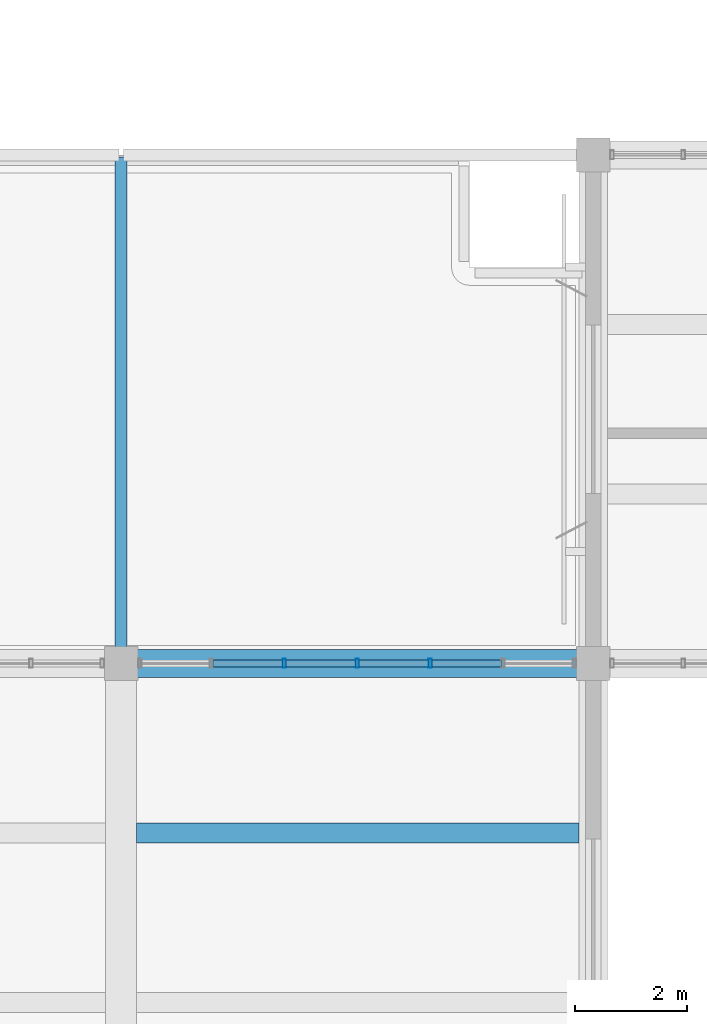
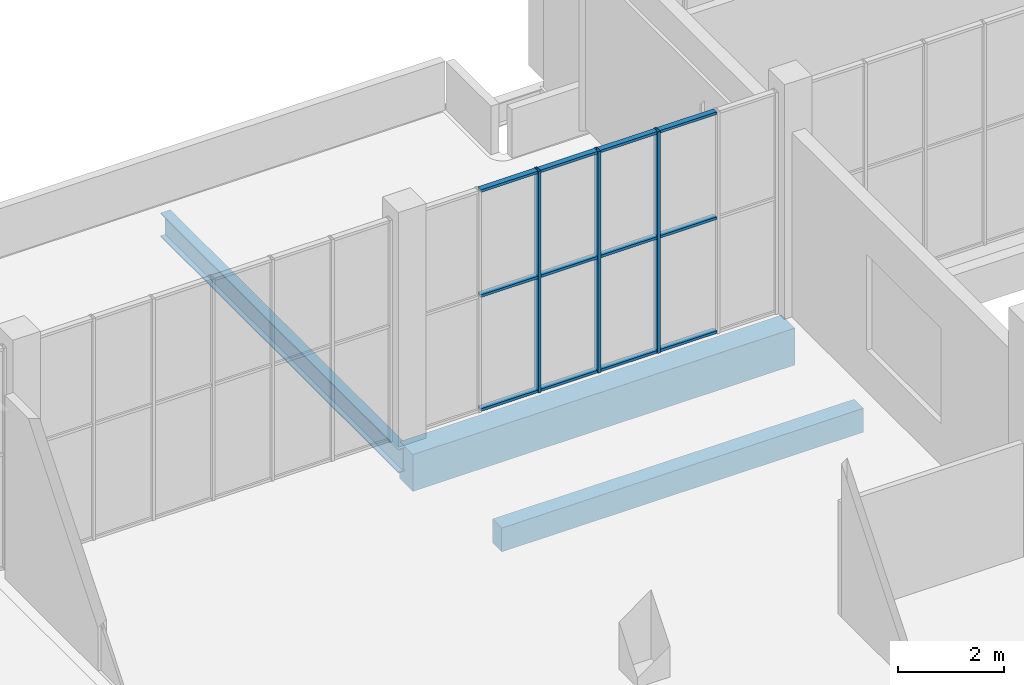
# One storey, part 53 of 132: 15 members, 3 beams, 1 element without a shape of its own.
"""IFC4 building model written with IfcOpenShell, lengths in metres."""

from ifc_helpers import new_model, si_unit, direction, frame, origin, origin_2d, place, context, subcontext, project, spatial, rectangle, hollow_rectangle, i_section, extrude, material, material_profile, profile_set, type_object, element, aggregate, save


model = new_model("IFC4")

# Units and contexts
model_context = context("Model", 3, precision=1e-05, world=origin(), true_north=direction((0.0, 1.0)))
body_context = subcontext(model_context, "Body", "Model", "MODEL_VIEW")
ifc_project = project(units=[si_unit("LENGTHUNIT", "METRE"), si_unit("AREAUNIT", "SQUARE_METRE"), si_unit("VOLUMEUNIT", "CUBIC_METRE"), si_unit("PLANEANGLEUNIT", "RADIAN"), si_unit("MASSUNIT", "GRAM", prefix="KILO")], contexts=[model_context])

# Site, building, storey
site_placement = place(None, origin())
site = spatial("IfcSite", under=ifc_project, at=site_placement, CompositionType="ELEMENT")
building_placement = place(site_placement, origin())
building = spatial("IfcBuilding", under=site, at=building_placement, Name="Khurvash Pelagic Aquarium", CompositionType="ELEMENT")
storey_placement = place(building_placement, frame((0.0, 0.0, 5.39990234375)))
storey = spatial("IfcBuildingStorey", under=building, at=storey_placement, Name="L01", CompositionType="ELEMENT", Elevation=5.39990234375)

# Beam
ifc_material_1 = material(Name="Steel ASTM A992 Grade 50", Category="steel")
ifc_material_profile_1 = material_profile(ifc_material_1, i_section(OverallWidth=0.214111328125, OverallDepth=0.549072265625, WebThickness=0.0146484375, FlangeThickness=0.023681640625, at=origin_2d()), Name="W21X93")
ifc_profile_set_1 = profile_set([ifc_material_profile_1], Name="Steel ASTM A992 Grade 50")
beam_type_1 = type_object("IfcBeamType", Name="BM-11", PredefinedType="BEAM", material=ifc_profile_set_1)
beam_1_placement = place(storey_placement, frame((25.199951171875, 93.139892578125, -0.594482421875), z_axis=(0.0, 1.0, 0.0), x_axis=(-1.0, 0.0, 0.0)))
element("IfcBeam", 1, at=beam_1_placement, inside=storey, type_object=beam_type_1, Name="L01 Roof Girder BM-11 01208", PredefinedType="BEAM", context=body_context, shape_type="SweptSolid", body=[
    extrude(i_section(OverallWidth=0.214111328125, OverallDepth=0.549072265625, WebThickness=0.0146484375, FlangeThickness=0.023681640625, at=origin_2d()), origin(), (0.0, 0.0, 1.0), 8.97021484375),
])

# Curtain wall, members
ifc_material_2 = material(Name="Anodised aluminium and low-E laminated glass", Category="aluminium")
curtain_wall_type = type_object("IfcCurtainWallType", Name="CW-05", PredefinedType="USERDEFINED", material=ifc_material_2)
curtain_wall_placement = place(storey_placement, origin())
curtain_wall = element("IfcCurtainWall", 2, at=curtain_wall_placement, inside=storey, type_object=curtain_wall_type, Name="L01 Facade Unitised Curtain Wall CW-05 0121", ObjectType="UNITISED CURTAIN WALL", PredefinedType="USERDEFINED")
ifc_material_3 = material(Name="Extruded aluminium AW-6063-T6", Category="aluminium")
ifc_material_profile_2 = material_profile(ifc_material_3, hollow_rectangle(XDim=0.06005859375, YDim=0.159912109375, WallThickness=0.00390625, at=origin_2d()), Name="CWM60X160X4")
ifc_profile_set_2 = profile_set([ifc_material_profile_2], Name="Extruded aluminium AW-6063-T6")
member_type_1 = type_object("IfcMemberType", Name="CM-02", PredefinedType="MULLION", material=ifc_profile_set_2)
member_1_placement = place(storey_placement, frame((30.6982421875, 93.10009765625, 0.0), z_axis=(0.0, 0.0, 1.0), x_axis=(-1.0, 0.0, 0.0)))
member_1 = element("IfcMember", 3, at=member_1_placement, type_object=member_type_1, Name="CW-05 mullion 3", PredefinedType="MULLION", context=body_context, shape_type="SweptSolid", body=[
    extrude(hollow_rectangle(XDim=0.06005859375, YDim=0.159912109375, WallThickness=0.00390625, at=origin_2d()), origin(), (0.0, 0.0, 1.0), 5.10009765625),
])
member_2_placement = place(storey_placement, frame((29.39990234375, 93.10009765625, 0.0), z_axis=(0.0, 0.0, 1.0), x_axis=(-1.0, 0.0, 0.0)))
member_2 = element("IfcMember", 4, at=member_2_placement, type_object=member_type_1, Name="CW-05 mullion 4", PredefinedType="MULLION", context=body_context, shape_type="SweptSolid", body=[
    extrude(hollow_rectangle(XDim=0.06005859375, YDim=0.159912109375, WallThickness=0.00390625, at=origin_2d()), origin(), (0.0, 0.0, 1.0), 5.10009765625),
])
member_3_placement = place(storey_placement, frame((28.1015625, 93.10009765625, 0.0), z_axis=(0.0, 0.0, 1.0), x_axis=(-1.0, 0.0, 0.0)))
member_3 = element("IfcMember", 5, at=member_3_placement, type_object=member_type_1, Name="CW-05 mullion 5", PredefinedType="MULLION", context=body_context, shape_type="SweptSolid", body=[
    extrude(hollow_rectangle(XDim=0.06005859375, YDim=0.159912109375, WallThickness=0.00390625, at=origin_2d()), origin(), (0.0, 0.0, 1.0), 5.10009765625),
])
ifc_material_profile_3 = material_profile(ifc_material_3, hollow_rectangle(XDim=0.1201171875, YDim=0.06005859375, WallThickness=0.00390625, at=origin_2d()), Name="CWT120X60X4")
ifc_profile_set_3 = profile_set([ifc_material_profile_3], Name="Extruded aluminium AW-6063-T6")
member_type_2 = type_object("IfcMemberType", Name="CT-02", PredefinedType="USERDEFINED", material=ifc_profile_set_3)
member_4_placement = place(storey_placement, frame((31.966552734375, 93.10009765625, 0.030029296875), z_axis=(-1.0, 0.0, 0.0), x_axis=(0.0, -1.0, 0.0)))
member_4 = element("IfcMember", 6, at=member_4_placement, type_object=member_type_2, Name="CW-05 transom 2.1", ObjectType="TRANSOM", PredefinedType="USERDEFINED", context=body_context, shape_type="SweptSolid", body=[
    extrude(hollow_rectangle(XDim=0.1201171875, YDim=0.06005859375, WallThickness=0.00390625, at=origin_2d()), origin(), (0.0, 0.0, 1.0), 1.23828125),
])
member_5_placement = place(storey_placement, frame((31.966552734375, 93.10009765625, 2.652099609375), z_axis=(-1.0, 0.0, 0.0), x_axis=(0.0, -1.0, 0.0)))
member_5 = element("IfcMember", 7, at=member_5_placement, type_object=member_type_2, Name="CW-05 transom 2.2", ObjectType="TRANSOM", PredefinedType="USERDEFINED", context=body_context, shape_type="SweptSolid", body=[
    extrude(hollow_rectangle(XDim=0.1201171875, YDim=0.06005859375, WallThickness=0.00390625, at=origin_2d()), origin(), (0.0, 0.0, 1.0), 1.23828125),
])
member_6_placement = place(storey_placement, frame((31.966552734375, 93.10009765625, 5.070068359375), z_axis=(-1.0, 0.0, 0.0), x_axis=(0.0, -1.0, 0.0)))
member_6 = element("IfcMember", 8, at=member_6_placement, type_object=member_type_2, Name="CW-05 transom 2.3", ObjectType="TRANSOM", PredefinedType="USERDEFINED", context=body_context, shape_type="SweptSolid", body=[
    extrude(hollow_rectangle(XDim=0.1201171875, YDim=0.06005859375, WallThickness=0.00390625, at=origin_2d()), origin(), (0.0, 0.0, 1.0), 1.23828125),
])
member_7_placement = place(storey_placement, frame((30.668212890625, 93.10009765625, 0.030029296875), z_axis=(-1.0, 0.0, 0.0), x_axis=(0.0, -1.0, 0.0)))
member_7 = element("IfcMember", 9, at=member_7_placement, type_object=member_type_2, Name="CW-05 transom 3.1", ObjectType="TRANSOM", PredefinedType="USERDEFINED", context=body_context, shape_type="SweptSolid", body=[
    extrude(hollow_rectangle(XDim=0.1201171875, YDim=0.06005859375, WallThickness=0.00390625, at=origin_2d()), origin(), (0.0, 0.0, 1.0), 1.23828125),
])
member_8_placement = place(storey_placement, frame((30.668212890625, 93.10009765625, 2.652099609375), z_axis=(-1.0, 0.0, 0.0), x_axis=(0.0, -1.0, 0.0)))
member_8 = element("IfcMember", 10, at=member_8_placement, type_object=member_type_2, Name="CW-05 transom 3.2", ObjectType="TRANSOM", PredefinedType="USERDEFINED", context=body_context, shape_type="SweptSolid", body=[
    extrude(hollow_rectangle(XDim=0.1201171875, YDim=0.06005859375, WallThickness=0.00390625, at=origin_2d()), origin(), (0.0, 0.0, 1.0), 1.23828125),
])
member_9_placement = place(storey_placement, frame((30.668212890625, 93.10009765625, 5.070068359375), z_axis=(-1.0, 0.0, 0.0), x_axis=(0.0, -1.0, 0.0)))
member_9 = element("IfcMember", 11, at=member_9_placement, type_object=member_type_2, Name="CW-05 transom 3.3", ObjectType="TRANSOM", PredefinedType="USERDEFINED", context=body_context, shape_type="SweptSolid", body=[
    extrude(hollow_rectangle(XDim=0.1201171875, YDim=0.06005859375, WallThickness=0.00390625, at=origin_2d()), origin(), (0.0, 0.0, 1.0), 1.23828125),
])
member_10_placement = place(storey_placement, frame((29.3701171875, 93.10009765625, 0.030029296875), z_axis=(-1.0, 0.0, 0.0), x_axis=(0.0, -1.0, 0.0)))
member_10 = element("IfcMember", 12, at=member_10_placement, type_object=member_type_2, Name="CW-05 transom 4.1", ObjectType="TRANSOM", PredefinedType="USERDEFINED", context=body_context, shape_type="SweptSolid", body=[
    extrude(hollow_rectangle(XDim=0.1201171875, YDim=0.06005859375, WallThickness=0.00390625, at=origin_2d()), origin(), (0.0, 0.0, 1.0), 1.238525390625),
])
member_11_placement = place(storey_placement, frame((29.3701171875, 93.10009765625, 2.652099609375), z_axis=(-1.0, 0.0, 0.0), x_axis=(0.0, -1.0, 0.0)))
member_11 = element("IfcMember", 13, at=member_11_placement, type_object=member_type_2, Name="CW-05 transom 4.2", ObjectType="TRANSOM", PredefinedType="USERDEFINED", context=body_context, shape_type="SweptSolid", body=[
    extrude(hollow_rectangle(XDim=0.1201171875, YDim=0.06005859375, WallThickness=0.00390625, at=origin_2d()), origin(), (0.0, 0.0, 1.0), 1.238525390625),
])
member_12_placement = place(storey_placement, frame((29.3701171875, 93.10009765625, 5.070068359375), z_axis=(-1.0, 0.0, 0.0), x_axis=(0.0, -1.0, 0.0)))
member_12 = element("IfcMember", 14, at=member_12_placement, type_object=member_type_2, Name="CW-05 transom 4.3", ObjectType="TRANSOM", PredefinedType="USERDEFINED", context=body_context, shape_type="SweptSolid", body=[
    extrude(hollow_rectangle(XDim=0.1201171875, YDim=0.06005859375, WallThickness=0.00390625, at=origin_2d()), origin(), (0.0, 0.0, 1.0), 1.238525390625),
])
member_13_placement = place(storey_placement, frame((28.07177734375, 93.10009765625, 0.030029296875), z_axis=(-1.0, 0.0, 0.0), x_axis=(0.0, -1.0, 0.0)))
member_13 = element("IfcMember", 15, at=member_13_placement, type_object=member_type_2, Name="CW-05 transom 5.1", ObjectType="TRANSOM", PredefinedType="USERDEFINED", context=body_context, shape_type="SweptSolid", body=[
    extrude(hollow_rectangle(XDim=0.1201171875, YDim=0.06005859375, WallThickness=0.00390625, at=origin_2d()), origin(), (0.0, 0.0, 1.0), 1.238525390625),
])
member_14_placement = place(storey_placement, frame((28.07177734375, 93.10009765625, 2.652099609375), z_axis=(-1.0, 0.0, 0.0), x_axis=(0.0, -1.0, 0.0)))
member_14 = element("IfcMember", 16, at=member_14_placement, type_object=member_type_2, Name="CW-05 transom 5.2", ObjectType="TRANSOM", PredefinedType="USERDEFINED", context=body_context, shape_type="SweptSolid", body=[
    extrude(hollow_rectangle(XDim=0.1201171875, YDim=0.06005859375, WallThickness=0.00390625, at=origin_2d()), origin(), (0.0, 0.0, 1.0), 1.238525390625),
])
member_15_placement = place(storey_placement, frame((28.07177734375, 93.10009765625, 5.070068359375), z_axis=(-1.0, 0.0, 0.0), x_axis=(0.0, -1.0, 0.0)))
member_15 = element("IfcMember", 17, at=member_15_placement, type_object=member_type_2, Name="CW-05 transom 5.3", ObjectType="TRANSOM", PredefinedType="USERDEFINED", context=body_context, shape_type="SweptSolid", body=[
    extrude(hollow_rectangle(XDim=0.1201171875, YDim=0.06005859375, WallThickness=0.00390625, at=origin_2d()), origin(), (0.0, 0.0, 1.0), 1.238525390625),
])
aggregate(curtain_wall, [member_1, member_2, member_3, member_4, member_5, member_6, member_7, member_8, member_9, member_10, member_11, member_12, member_13, member_14, member_15])

# Beams
ifc_material_4 = material(Name="Concrete C35/45", Category="concrete")
ifc_material_profile_4 = material_profile(ifc_material_4, rectangle(XDim=0.35009765625, YDim=0.550048828125, at=origin_2d()), Name="RC350X550")
ifc_profile_set_4 = profile_set([ifc_material_profile_4], Name="Concrete C35/45")
beam_type_2 = type_object("IfcBeamType", Name="JS-01", PredefinedType="JOIST", material=ifc_profile_set_4)
beam_2_placement = place(storey_placement, frame((25.47509765625, 90.0830078125, -0.5849609375), z_axis=(1.0, 0.0, 0.0), x_axis=(0.0, 1.0, 0.0)))
element("IfcBeam", 18, at=beam_2_placement, inside=storey, type_object=beam_type_2, Name="L01 Floor Joist JS-01 00475", PredefinedType="JOIST", context=body_context, shape_type="SweptSolid", body=[
    extrude(rectangle(XDim=0.35009765625, YDim=0.550048828125, at=origin_2d()), origin(), (0.0, 0.0, 1.0), 7.875),
])
ifc_material_5 = material(Name="Concrete C40/50", Category="concrete")
ifc_material_profile_5 = material_profile(ifc_material_5, rectangle(XDim=0.5, YDim=0.85009765625, at=origin_2d()), Name="RC500X850")
ifc_profile_set_5 = profile_set([ifc_material_profile_5], Name="Concrete C40/50")
beam_type_3 = type_object("IfcBeamType", Name="SEB-03", PredefinedType="SPANDREL", material=ifc_profile_set_5)
beam_3_placement = place(storey_placement, frame((25.239990234375, 93.10009765625, -0.744873046875), z_axis=(1.0, 0.0, 0.0), x_axis=(0.0, 1.0, 0.0)))
element("IfcBeam", 19, at=beam_3_placement, inside=storey, type_object=beam_type_3, Name="L01 Primary Girder SEB-03 00326", PredefinedType="SPANDREL", context=body_context, shape_type="SweptSolid", body=[
    extrude(rectangle(XDim=0.5, YDim=0.85009765625, at=origin_2d()), origin(), (0.0, 0.0, 1.0), 8.320068359375),
])

save(model, "model.ifc")
